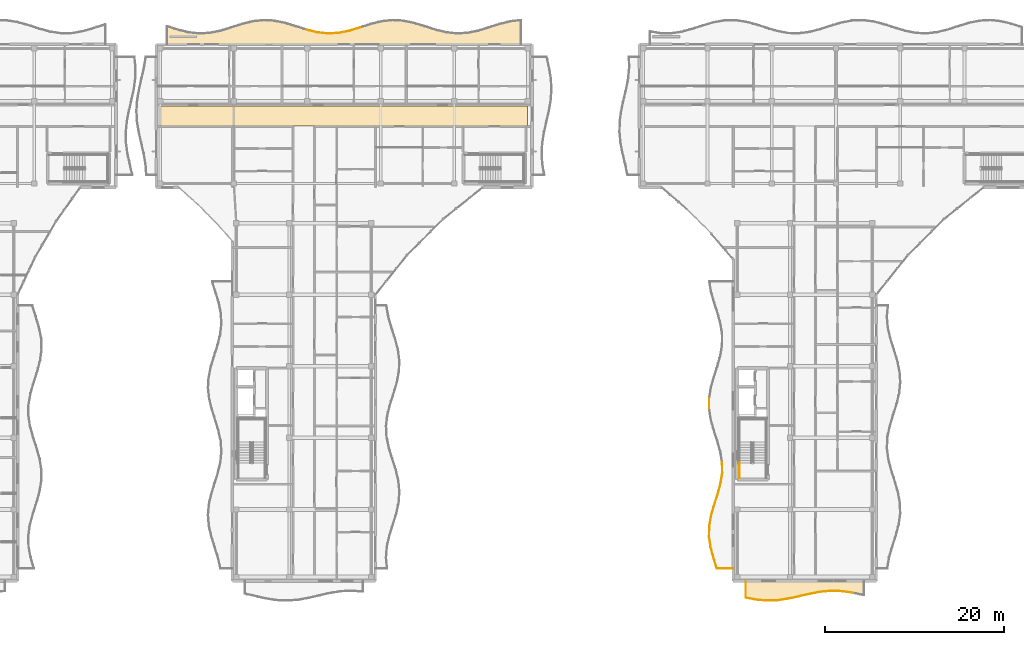
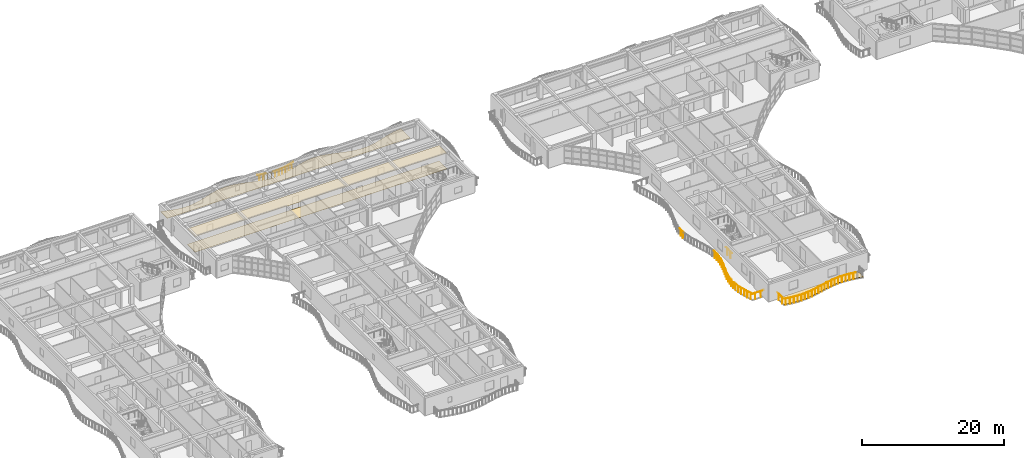
# One storey, part 60 of 76: 29 railings, 4 coverings.
"""IFC4 building model written with IfcOpenShell, lengths in metres."""

from ifc_helpers import new_model, si_unit, direction, frame, origin, origin_2d, place, context, subcontext, project, spatial, polyline, circle, outline, extrude, material, layer, layer_set, type_object, element, save


model = new_model("IFC4")

# Units and contexts
model_context = context("Model", 3, precision=1e-05, world=origin(), true_north=direction((0.0, 1.0)))
body_context = subcontext(model_context, "Body", "Model", "MODEL_VIEW")
ifc_project = project(units=[si_unit("LENGTHUNIT", "METRE"), si_unit("AREAUNIT", "SQUARE_METRE"), si_unit("VOLUMEUNIT", "CUBIC_METRE"), si_unit("PLANEANGLEUNIT", "RADIAN"), si_unit("MASSUNIT", "GRAM", prefix="KILO")], contexts=[model_context])

# Site, building, storey
site_placement = place(None, origin())
site = spatial("IfcSite", under=ifc_project, at=site_placement, CompositionType="ELEMENT")
building_placement = place(site_placement, origin())
building = spatial("IfcBuilding", under=site, at=building_placement, Name="Keldmere Railside Commons", CompositionType="ELEMENT")
storey_placement = place(building_placement, frame((0.0, 0.0, 13.760009765625)))
storey = spatial("IfcBuildingStorey", under=building, at=storey_placement, Name="L04", CompositionType="ELEMENT", Elevation=13.760009765625)

# Railings
ifc_material_1 = material(Name="Steel F-24 (S235)", Category="steel")
railing_type_1 = type_object("IfcRailingType", Name="Balcony & Terrace Steel Balustrade 1100", PredefinedType="BALUSTRADE", material=ifc_material_1)
railing_1_placement = place(storey_placement, frame((56.300048828125, 117.635986328125, 0.0)))
element("IfcRailing", 1, at=railing_1_placement, inside=storey, type_object=railing_type_1, Name="GR-1 GRD-L04-1191", PredefinedType="BALUSTRADE", context=body_context, shape_type="SweptSolid", body=[
    extrude(circle(Radius=0.02392578125, at=origin_2d()), frame((0.0, 0.0, 1.076171875), z_axis=(0.97040903409, -0.241466988544, 0.0), x_axis=(0.241466988544, 0.97040903409, 0.0)), (0.0, 0.0, 1.0), 1.236572265625),
    extrude(circle(Radius=0.02099609375, at=origin_2d()), frame((0.300048828125, -0.07470703125, 0.0)), (0.0, 0.0, 1.0), 1.048095703125),
    extrude(circle(Radius=0.02099609375, at=origin_2d()), frame((0.89990234375, -0.223876953125, 0.0)), (0.0, 0.0, 1.0), 1.048095703125),
])
railing_2_placement = place(storey_placement, frame((57.5, 117.33740234375, 0.0)))
element("IfcRailing", 2, at=railing_2_placement, inside=storey, type_object=railing_type_1, Name="GR-1 GRD-L04-1192", PredefinedType="BALUSTRADE", context=body_context, shape_type="SweptSolid", body=[
    extrude(circle(Radius=0.02392578125, at=origin_2d()), frame((0.0, 0.0, 1.076171875), z_axis=(0.993797127662, -0.111208223848, 0.0), x_axis=(0.111208223848, 0.993797127662, 0.0)), (0.0, 0.0, 1.0), 1.20751953125),
    extrude(circle(Radius=0.02099609375, at=origin_2d()), frame((0.300048828125, -0.03369140625, 0.0)), (0.0, 0.0, 1.0), 1.048095703125),
    extrude(circle(Radius=0.02099609375, at=origin_2d()), frame((0.89990234375, -0.1005859375, 0.0)), (0.0, 0.0, 1.0), 1.048095703125),
])
railing_3_placement = place(storey_placement, frame((58.699951171875, 117.203125, 0.0)))
element("IfcRailing", 3, at=railing_3_placement, inside=storey, type_object=railing_type_1, Name="GR-1 GRD-L04-1193", PredefinedType="BALUSTRADE", context=body_context, shape_type="SweptSolid", body=[
    extrude(circle(Radius=0.02392578125, at=origin_2d()), frame((0.0, 0.0, 1.076171875), z_axis=(0.998505647045, 0.05464863053, 0.0), x_axis=(-0.05464863053, 0.998505647045, 0.0)), (0.0, 0.0, 1.0), 1.20166015625),
    extrude(circle(Radius=0.02099609375, at=origin_2d()), frame((0.300048828125, 0.016357421875, 0.0)), (0.0, 0.0, 1.0), 1.048095703125),
    extrude(circle(Radius=0.02099609375, at=origin_2d()), frame((0.89990234375, 0.04931640625, 0.0)), (0.0, 0.0, 1.0), 1.048095703125),
])
railing_4_placement = place(storey_placement, frame((59.89990234375, 117.268798828125, 0.0)))
element("IfcRailing", 4, at=railing_4_placement, inside=storey, type_object=railing_type_1, Name="GR-1 GRD-L04-1194", PredefinedType="BALUSTRADE", context=body_context, shape_type="SweptSolid", body=[
    extrude(circle(Radius=0.02392578125, at=origin_2d()), frame((0.0, 0.0, 1.076171875), z_axis=(0.97926450778, 0.202585843046, 0.0), x_axis=(-0.202585843046, 0.97926450778, 0.0)), (0.0, 0.0, 1.0), 1.2255859375),
    extrude(circle(Radius=0.02099609375, at=origin_2d()), frame((0.300048828125, 0.06201171875, 0.0)), (0.0, 0.0, 1.0), 1.048095703125),
    extrude(circle(Radius=0.02099609375, at=origin_2d()), frame((0.900146484375, 0.186279296875, 0.0)), (0.0, 0.0, 1.0), 1.048095703125),
])
railing_5_placement = place(storey_placement, frame((61.10009765625, 117.51708984375, 0.0)))
element("IfcRailing", 5, at=railing_5_placement, inside=storey, type_object=railing_type_1, Name="GR-1 GRD-L04-1195", PredefinedType="BALUSTRADE", context=body_context, shape_type="SweptSolid", body=[
    extrude(circle(Radius=0.02392578125, at=origin_2d()), frame((0.0, 0.0, 1.076171875), z_axis=(0.956883475575, 0.29047205403, 0.0), x_axis=(-0.29047205403, 0.956883475575, 0.0)), (0.0, 0.0, 1.0), 1.25390625),
    extrude(circle(Radius=0.02099609375, at=origin_2d()), frame((0.300048828125, 0.091064453125, 0.0)), (0.0, 0.0, 1.0), 1.048095703125),
    extrude(circle(Radius=0.02099609375, at=origin_2d()), frame((0.89990234375, 0.273193359375, 0.0)), (0.0, 0.0, 1.0), 1.048095703125),
])
railing_6_placement = place(storey_placement, frame((104.0, 57.39990234375, 0.0)))
element("IfcRailing", 6, at=railing_6_placement, inside=storey, type_object=railing_type_1, Name="GR-1 GRD-L04-2300", PredefinedType="BALUSTRADE", context=body_context, shape_type="SweptSolid", body=[
    extrude(circle(Radius=0.02392578125, at=origin_2d()), frame((0.0, 0.0, 1.076171875), z_axis=(-1.0, 0.0, 0.0), x_axis=(0.0, -1.0, 0.0)), (0.0, 0.0, 1.0), 1.8134765625),
    extrude(circle(Radius=0.02099609375, at=origin_2d()), frame((-0.453369140625, 0.0, 0.0)), (0.0, 0.0, 1.0), 1.048095703125),
    extrude(circle(Radius=0.02099609375, at=origin_2d()), frame((-1.360107421875, 0.0, 0.0)), (0.0, 0.0, 1.0), 1.048095703125),
])
railing_7_placement = place(storey_placement, frame((102.1865234375, 57.39990234375, 0.0)))
element("IfcRailing", 7, at=railing_7_placement, inside=storey, type_object=railing_type_1, Name="GR-1 GRD-L04-2301", PredefinedType="BALUSTRADE", context=body_context, shape_type="SweptSolid", body=[
    extrude(circle(Radius=0.02392578125, at=origin_2d()), frame((0.0, 0.0, 1.076171875), z_axis=(-0.307008489712, 0.951706775874, 0.0), x_axis=(-0.951706775874, -0.307008489712, 0.0)), (0.0, 0.0, 1.0), 1.249267578125),
    extrude(circle(Radius=0.02099609375, at=origin_2d()), frame((-0.095947265625, 0.29736328125, 0.0)), (0.0, 0.0, 1.0), 1.048095703125),
    extrude(circle(Radius=0.02099609375, at=origin_2d()), frame((-0.28759765625, 0.8916015625, 0.0)), (0.0, 0.0, 1.0), 1.048095703125),
])
railing_8_placement = place(storey_placement, frame((101.802978515625, 58.5888671875, 0.0)))
element("IfcRailing", 8, at=railing_8_placement, inside=storey, type_object=railing_type_1, Name="GR-1 GRD-L04-2302", PredefinedType="BALUSTRADE", context=body_context, shape_type="SweptSolid", body=[
    extrude(circle(Radius=0.02392578125, at=origin_2d()), frame((0.0, 0.0, 1.076171875), z_axis=(-0.258835224939, 0.96592149077, 0.0), x_axis=(-0.96592149077, -0.258835224939, 0.0)), (0.0, 0.0, 1.0), 1.23095703125),
    extrude(circle(Radius=0.02099609375, at=origin_2d()), frame((-0.07958984375, 0.29736328125, 0.0)), (0.0, 0.0, 1.0), 1.048095703125),
    extrude(circle(Radius=0.02099609375, at=origin_2d()), frame((-0.239013671875, 0.8916015625, 0.0)), (0.0, 0.0, 1.0), 1.048095703125),
])
railing_9_placement = place(storey_placement, frame((101.484375, 59.77783203125, 0.0)))
element("IfcRailing", 9, at=railing_9_placement, inside=storey, type_object=railing_type_1, Name="GR-1 GRD-L04-2303", PredefinedType="BALUSTRADE", context=body_context, shape_type="SweptSolid", body=[
    extrude(circle(Radius=0.02392578125, at=origin_2d()), frame((0.0, 0.0, 1.076171875), z_axis=(-0.141279059321, 0.989969811357, 0.0), x_axis=(-0.989969811357, -0.141279059321, 0.0)), (0.0, 0.0, 1.0), 1.200927734375),
    extrude(circle(Radius=0.02099609375, at=origin_2d()), frame((-0.04248046875, 0.29736328125, 0.0)), (0.0, 0.0, 1.0), 1.048095703125),
    extrude(circle(Radius=0.02099609375, at=origin_2d()), frame((-0.127197265625, 0.8916015625, 0.0)), (0.0, 0.0, 1.0), 1.048095703125),
])
railing_10_placement = place(storey_placement, frame((101.314697265625, 60.966796875, 0.0)))
element("IfcRailing", 10, at=railing_10_placement, inside=storey, type_object=railing_type_1, Name="GR-1 GRD-L04-2304", PredefinedType="BALUSTRADE", context=body_context, shape_type="SweptSolid", body=[
    extrude(circle(Radius=0.02392578125, at=origin_2d()), frame((0.0, 0.0, 1.076171875), z_axis=(0.019918003048, 0.999801616899, 0.0), x_axis=(-0.999801616899, 0.019918003048, 0.0)), (0.0, 0.0, 1.0), 1.18896484375),
    extrude(circle(Radius=0.02099609375, at=origin_2d()), frame((0.005859375, 0.297119140625, 0.0)), (0.0, 0.0, 1.0), 1.048095703125),
    extrude(circle(Radius=0.02099609375, at=origin_2d()), frame((0.017822265625, 0.8916015625, 0.0)), (0.0, 0.0, 1.0), 1.048095703125),
])
railing_11_placement = place(storey_placement, frame((101.33837890625, 62.155517578125, 0.0)))
element("IfcRailing", 11, at=railing_11_placement, inside=storey, type_object=railing_type_1, Name="GR-1 GRD-L04-2305", PredefinedType="BALUSTRADE", context=body_context, shape_type="SweptSolid", body=[
    extrude(circle(Radius=0.02392578125, at=origin_2d()), frame((0.0, 0.0, 1.076171875), z_axis=(0.174684901662, 0.984624387841, 0.0), x_axis=(-0.984624387841, 0.174684901662, 0.0)), (0.0, 0.0, 1.0), 1.20751953125),
    extrude(circle(Radius=0.02099609375, at=origin_2d()), frame((0.052734375, 0.29736328125, 0.0)), (0.0, 0.0, 1.0), 1.048095703125),
    extrude(circle(Radius=0.02099609375, at=origin_2d()), frame((0.158203125, 0.8916015625, 0.0)), (0.0, 0.0, 1.0), 1.048095703125),
])
railing_12_placement = place(storey_placement, frame((101.54931640625, 63.344482421875, 0.0)))
element("IfcRailing", 12, at=railing_12_placement, inside=storey, type_object=railing_type_1, Name="GR-1 GRD-L04-2306", PredefinedType="BALUSTRADE", context=body_context, shape_type="SweptSolid", body=[
    extrude(circle(Radius=0.02392578125, at=origin_2d()), frame((0.0, 0.0, 1.076171875), z_axis=(0.27706605588, 0.960850873278, 0.0), x_axis=(-0.960850873278, 0.27706605588, 0.0)), (0.0, 0.0, 1.0), 1.237060546875),
    extrude(circle(Radius=0.02099609375, at=origin_2d()), frame((0.085693359375, 0.297119140625, 0.0)), (0.0, 0.0, 1.0), 1.048095703125),
    extrude(circle(Radius=0.02099609375, at=origin_2d()), frame((0.257080078125, 0.8916015625, 0.0)), (0.0, 0.0, 1.0), 1.048095703125),
])
railing_13_placement = place(storey_placement, frame((101.89208984375, 64.533203125, 0.0)))
element("IfcRailing", 13, at=railing_13_placement, inside=storey, type_object=railing_type_1, Name="GR-1 GRD-L04-2307", PredefinedType="BALUSTRADE", context=body_context, shape_type="SweptSolid", body=[
    extrude(circle(Radius=0.02392578125, at=origin_2d()), frame((0.0, 0.0, 1.076171875), z_axis=(0.307539355173, 0.951535361939, 0.0), x_axis=(-0.951535361939, 0.307539355173, 0.0)), (0.0, 0.0, 1.0), 1.24951171875),
    extrude(circle(Radius=0.02099609375, at=origin_2d()), frame((0.09619140625, 0.29736328125, 0.0)), (0.0, 0.0, 1.0), 1.048095703125),
    extrude(circle(Radius=0.02099609375, at=origin_2d()), frame((0.2880859375, 0.8916015625, 0.0)), (0.0, 0.0, 1.0), 1.048095703125),
])
railing_14_placement = place(storey_placement, frame((102.2763671875, 65.72216796875, 0.0)))
element("IfcRailing", 14, at=railing_14_placement, inside=storey, type_object=railing_type_1, Name="GR-1 GRD-L04-2308", PredefinedType="BALUSTRADE", context=body_context, shape_type="SweptSolid", body=[
    extrude(circle(Radius=0.02392578125, at=origin_2d()), frame((0.0, 0.0, 1.076171875), z_axis=(0.263452610118, 0.964672339306, 0.0), x_axis=(-0.964672339306, 0.263452610118, 0.0)), (0.0, 0.0, 1.0), 1.232421875),
    extrude(circle(Radius=0.02099609375, at=origin_2d()), frame((0.0810546875, 0.29736328125, 0.0)), (0.0, 0.0, 1.0), 1.048095703125),
    extrude(circle(Radius=0.02099609375, at=origin_2d()), frame((0.24365234375, 0.8916015625, 0.0)), (0.0, 0.0, 1.0), 1.048095703125),
])
railing_15_placement = place(storey_placement, frame((102.60107421875, 66.9111328125, 0.0)))
element("IfcRailing", 15, at=railing_15_placement, inside=storey, type_object=railing_type_1, Name="GR-1 GRD-L04-2309", PredefinedType="BALUSTRADE", context=body_context, shape_type="SweptSolid", body=[
    extrude(circle(Radius=0.02392578125, at=origin_2d()), frame((0.0, 0.0, 1.076171875), z_axis=(0.149432472874, 0.988771933284, 0.0), x_axis=(-0.988771933284, 0.149432472874, 0.0)), (0.0, 0.0, 1.0), 1.202392578125),
    extrude(circle(Radius=0.02099609375, at=origin_2d()), frame((0.044921875, 0.29736328125, 0.0)), (0.0, 0.0, 1.0), 1.048095703125),
    extrude(circle(Radius=0.02099609375, at=origin_2d()), frame((0.134765625, 0.8916015625, 0.0)), (0.0, 0.0, 1.0), 1.048095703125),
])
railing_16_placement = place(storey_placement, frame((102.78076171875, 68.10009765625, 0.0)))
element("IfcRailing", 16, at=railing_16_placement, inside=storey, type_object=railing_type_1, Name="GR-1 GRD-L04-2310", PredefinedType="BALUSTRADE", context=body_context, shape_type="SweptSolid", body=[
    extrude(circle(Radius=0.02392578125, at=origin_2d()), frame((0.0, 0.0, 1.076171875), z_axis=(-0.010473855521, 0.999945147671, 0.0), x_axis=(-0.999945147671, -0.010473855521, 0.0)), (0.0, 0.0, 1.0), 1.188720703125),
    extrude(circle(Radius=0.02099609375, at=origin_2d()), frame((-0.003173828125, 0.297119140625, 0.0)), (0.0, 0.0, 1.0), 1.048095703125),
    extrude(circle(Radius=0.02099609375, at=origin_2d()), frame((-0.00927734375, 0.8916015625, 0.0)), (0.0, 0.0, 1.0), 1.048095703125),
])
railing_17_placement = place(storey_placement, frame((101.324462890625, 75.2333984375, 0.0)))
element("IfcRailing", 17, at=railing_17_placement, inside=storey, type_object=railing_type_1, Name="GR-1 GRD-L04-2316", PredefinedType="BALUSTRADE", context=body_context, shape_type="SweptSolid", body=[
    extrude(circle(Radius=0.02392578125, at=origin_2d()), frame((0.0, 0.0, 1.076171875), z_axis=(0.001026904367, 0.999999472734, 0.0), x_axis=(-0.999999472734, 0.001026904367, 0.0)), (0.0, 0.0, 1.0), 1.188720703125),
    extrude(circle(Radius=0.02099609375, at=origin_2d()), frame((0.000244140625, 0.297119140625, 0.0)), (0.0, 0.0, 1.0), 1.048095703125),
    extrude(circle(Radius=0.02099609375, at=origin_2d()), frame((0.0009765625, 0.8916015625, 0.0)), (0.0, 0.0, 1.0), 1.048095703125),
])
railing_18_placement = place(storey_placement, frame((105.39990234375, 56.0, 0.0)))
element("IfcRailing", 18, at=railing_18_placement, inside=storey, type_object=railing_type_1, Name="GR-1 GRD-L04-2355", PredefinedType="BALUSTRADE", context=body_context, shape_type="SweptSolid", body=[
    extrude(circle(Radius=0.02392578125, at=origin_2d()), frame((0.0, 0.0, 1.076171875), z_axis=(0.0, -1.0, 0.0), x_axis=(1.0, 0.0, 0.0)), (0.0, 0.0, 1.0), 1.872802734375),
    extrude(circle(Radius=0.02099609375, at=origin_2d()), frame((0.0, -0.46826171875, 0.0)), (0.0, 0.0, 1.0), 1.048095703125),
    extrude(circle(Radius=0.02099609375, at=origin_2d()), frame((0.0, -1.404541015625, 0.0)), (0.0, 0.0, 1.0), 1.048095703125),
])
railing_19_placement = place(storey_placement, frame((105.39990234375, 54.127197265625, 0.0)))
element("IfcRailing", 19, at=railing_19_placement, inside=storey, type_object=railing_type_1, Name="GR-1 GRD-L04-2356", PredefinedType="BALUSTRADE", context=body_context, shape_type="SweptSolid", body=[
    extrude(circle(Radius=0.02392578125, at=origin_2d()), frame((0.0, 0.0, 1.076171875), z_axis=(0.983402503425, -0.1814373618, 0.0), x_axis=(0.1814373618, 0.983402503425, 0.0)), (0.0, 0.0, 1.0), 1.220458984375),
    extrude(circle(Radius=0.02099609375, at=origin_2d()), frame((0.300048828125, -0.055419921875, 0.0)), (0.0, 0.0, 1.0), 1.048095703125),
    extrude(circle(Radius=0.02099609375, at=origin_2d()), frame((0.900146484375, -0.166015625, 0.0)), (0.0, 0.0, 1.0), 1.048095703125),
])
railing_20_placement = place(storey_placement, frame((106.60009765625, 53.90576171875, 0.0)))
element("IfcRailing", 20, at=railing_20_placement, inside=storey, type_object=railing_type_1, Name="GR-1 GRD-L04-2357", PredefinedType="BALUSTRADE", context=body_context, shape_type="SweptSolid", body=[
    extrude(circle(Radius=0.02392578125, at=origin_2d()), frame((0.0, 0.0, 1.076171875), z_axis=(0.996351575661, -0.085343644629, 0.0), x_axis=(0.085343644629, 0.996351575661, 0.0)), (0.0, 0.0, 1.0), 1.204345703125),
    extrude(circle(Radius=0.02099609375, at=origin_2d()), frame((0.300048828125, -0.025634765625, 0.0)), (0.0, 0.0, 1.0), 1.048095703125),
    extrude(circle(Radius=0.02099609375, at=origin_2d()), frame((0.89990234375, -0.0771484375, 0.0)), (0.0, 0.0, 1.0), 1.048095703125),
])
railing_21_placement = place(storey_placement, frame((107.800048828125, 53.802978515625, 0.0)))
element("IfcRailing", 21, at=railing_21_placement, inside=storey, type_object=railing_type_1, Name="GR-1 GRD-L04-2358", PredefinedType="BALUSTRADE", context=body_context, shape_type="SweptSolid", body=[
    extrude(circle(Radius=0.02392578125, at=origin_2d()), frame((0.0, 0.0, 1.076171875), z_axis=(0.999322610196, 0.03680109714, 0.0), x_axis=(-0.03680109714, 0.999322610196, 0.0)), (0.0, 0.0, 1.0), 1.20068359375),
    extrude(circle(Radius=0.02099609375, at=origin_2d()), frame((0.300048828125, 0.010986328125, 0.0)), (0.0, 0.0, 1.0), 1.048095703125),
    extrude(circle(Radius=0.02099609375, at=origin_2d()), frame((0.89990234375, 0.033203125, 0.0)), (0.0, 0.0, 1.0), 1.048095703125),
])
railing_22_placement = place(storey_placement, frame((109.0, 53.84716796875, 0.0)))
element("IfcRailing", 22, at=railing_22_placement, inside=storey, type_object=railing_type_1, Name="GR-1 GRD-L04-2359", PredefinedType="BALUSTRADE", context=body_context, shape_type="SweptSolid", body=[
    extrude(circle(Radius=0.02392578125, at=origin_2d()), frame((0.0, 0.0, 1.076171875), z_axis=(0.989090801732, 0.147307114317, 0.0), x_axis=(-0.147307114317, 0.989090801732, 0.0)), (0.0, 0.0, 1.0), 1.213134765625),
    extrude(circle(Radius=0.02099609375, at=origin_2d()), frame((0.300048828125, 0.044677734375, 0.0)), (0.0, 0.0, 1.0), 1.048095703125),
    extrude(circle(Radius=0.02099609375, at=origin_2d()), frame((0.89990234375, 0.134033203125, 0.0)), (0.0, 0.0, 1.0), 1.048095703125),
])
railing_23_placement = place(storey_placement, frame((110.199951171875, 54.02587890625, 0.0)))
element("IfcRailing", 23, at=railing_23_placement, inside=storey, type_object=railing_type_1, Name="GR-1 GRD-L04-2360", PredefinedType="BALUSTRADE", context=body_context, shape_type="SweptSolid", body=[
    extrude(circle(Radius=0.02392578125, at=origin_2d()), frame((0.0, 0.0, 1.076171875), z_axis=(0.97636434937, 0.216131111315, 0.0), x_axis=(-0.216131111315, 0.97636434937, 0.0)), (0.0, 0.0, 1.0), 1.22900390625),
    extrude(circle(Radius=0.02099609375, at=origin_2d()), frame((0.300048828125, 0.06640625, 0.0)), (0.0, 0.0, 1.0), 1.048095703125),
    extrude(circle(Radius=0.02099609375, at=origin_2d()), frame((0.89990234375, 0.19921875, 0.0)), (0.0, 0.0, 1.0), 1.048095703125),
])
railing_24_placement = place(storey_placement, frame((111.39990234375, 54.29150390625, 0.0)))
element("IfcRailing", 24, at=railing_24_placement, inside=storey, type_object=railing_type_1, Name="GR-1 GRD-L04-2361", PredefinedType="BALUSTRADE", context=body_context, shape_type="SweptSolid", body=[
    extrude(circle(Radius=0.02392578125, at=origin_2d()), frame((0.0, 0.0, 1.076171875), z_axis=(0.973624560196, 0.228156121511, 0.0), x_axis=(-0.228156121511, 0.973624560196, 0.0)), (0.0, 0.0, 1.0), 1.232666015625),
    extrude(circle(Radius=0.02099609375, at=origin_2d()), frame((0.300048828125, 0.0703125, 0.0)), (0.0, 0.0, 1.0), 1.048095703125),
    extrude(circle(Radius=0.02099609375, at=origin_2d()), frame((0.900146484375, 0.2109375, 0.0)), (0.0, 0.0, 1.0), 1.048095703125),
])
railing_25_placement = place(storey_placement, frame((112.60009765625, 54.57275390625, 0.0)))
element("IfcRailing", 25, at=railing_25_placement, inside=storey, type_object=railing_type_1, Name="GR-1 GRD-L04-2362", PredefinedType="BALUSTRADE", context=body_context, shape_type="SweptSolid", body=[
    extrude(circle(Radius=0.02392578125, at=origin_2d()), frame((0.0, 0.0, 1.076171875), z_axis=(0.983395916222, 0.181473061244, 0.0), x_axis=(-0.181473061244, 0.983395916222, 0.0)), (0.0, 0.0, 1.0), 1.22021484375),
    extrude(circle(Radius=0.02099609375, at=origin_2d()), frame((0.300048828125, 0.055419921875, 0.0)), (0.0, 0.0, 1.0), 1.048095703125),
    extrude(circle(Radius=0.02099609375, at=origin_2d()), frame((0.89990234375, 0.166015625, 0.0)), (0.0, 0.0, 1.0), 1.048095703125),
])
railing_26_placement = place(storey_placement, frame((113.800048828125, 54.794189453125, 0.0)))
element("IfcRailing", 26, at=railing_26_placement, inside=storey, type_object=railing_type_1, Name="GR-1 GRD-L04-2363", PredefinedType="BALUSTRADE", context=body_context, shape_type="SweptSolid", body=[
    extrude(circle(Radius=0.02392578125, at=origin_2d()), frame((0.0, 0.0, 1.076171875), z_axis=(0.996351575661, 0.085343644629, 0.0), x_axis=(-0.085343644629, 0.996351575661, 0.0)), (0.0, 0.0, 1.0), 1.204345703125),
    extrude(circle(Radius=0.02099609375, at=origin_2d()), frame((0.300048828125, 0.025634765625, 0.0)), (0.0, 0.0, 1.0), 1.048095703125),
    extrude(circle(Radius=0.02099609375, at=origin_2d()), frame((0.89990234375, 0.0771484375, 0.0)), (0.0, 0.0, 1.0), 1.048095703125),
])
railing_27_placement = place(storey_placement, frame((115.0, 54.89697265625, 0.0)))
element("IfcRailing", 27, at=railing_27_placement, inside=storey, type_object=railing_type_1, Name="GR-1 GRD-L04-2364", PredefinedType="BALUSTRADE", context=body_context, shape_type="SweptSolid", body=[
    extrude(circle(Radius=0.02392578125, at=origin_2d()), frame((0.0, 0.0, 1.076171875), z_axis=(0.999322610196, -0.03680109714, 0.0), x_axis=(0.03680109714, 0.999322610196, 0.0)), (0.0, 0.0, 1.0), 1.20068359375),
    extrude(circle(Radius=0.02099609375, at=origin_2d()), frame((0.300048828125, -0.010986328125, 0.0)), (0.0, 0.0, 1.0), 1.048095703125),
    extrude(circle(Radius=0.02099609375, at=origin_2d()), frame((0.89990234375, -0.033203125, 0.0)), (0.0, 0.0, 1.0), 1.048095703125),
])
railing_28_placement = place(storey_placement, frame((116.199951171875, 54.852783203125, 0.0)))
element("IfcRailing", 28, at=railing_28_placement, inside=storey, type_object=railing_type_1, Name="GR-1 GRD-L04-2365", PredefinedType="BALUSTRADE", context=body_context, shape_type="SweptSolid", body=[
    extrude(circle(Radius=0.02392578125, at=origin_2d()), frame((0.0, 0.0, 1.076171875), z_axis=(0.989120103585, -0.147110233107, 0.0), x_axis=(0.147110233107, 0.989120103585, 0.0)), (0.0, 0.0, 1.0), 1.213134765625),
    extrude(circle(Radius=0.02099609375, at=origin_2d()), frame((0.300048828125, -0.044677734375, 0.0)), (0.0, 0.0, 1.0), 1.048095703125),
    extrude(circle(Radius=0.02099609375, at=origin_2d()), frame((0.89990234375, -0.1337890625, 0.0)), (0.0, 0.0, 1.0), 1.048095703125),
])

# Covering
ifc_material_2 = material(Name="Polished Terrazzo Tile Flooring", Category="concrete")
ifc_layer_1 = layer(ifc_material_2, 0.030029296875, Name="Polished Terrazzo Floor Finish 30")
ifc_layer_set_1 = layer_set([ifc_layer_1], Name="Polished Terrazzo Tile Flooring")
covering_type_1 = type_object("IfcCoveringType", Name="Polished Terrazzo Floor Finish 30", PredefinedType="FLOORING", material=ifc_layer_set_1)
covering_1_placement = place(storey_placement, origin())
element("IfcCovering", 29, at=covering_1_placement, inside=storey, type_object=covering_type_1, Name="FLR-1 Corridor Terrazzo C-L04", PredefinedType="FLOORING", context=body_context, shape_type="SweptSolid", body=[
    extrude(outline(polyline([(39.97998046875, 106.8798828125), (81.02001953125, 106.8798828125), (81.02001953125, 109.1201171875), (39.97998046875, 109.1201171875), (39.97998046875, 106.8798828125)])), origin(), (0.0, 0.0, 1.0), 0.030029296875),
])

# Railing
railing_type_2 = type_object("IfcRailingType", Name="Stair Well Steel Guardrail 1100", PredefinedType="BALUSTRADE", material=ifc_material_1)
railing_29_placement = place(storey_placement, frame((104.699951171875, 67.5, 0.0)))
element("IfcRailing", 30, at=railing_29_placement, inside=storey, type_object=railing_type_2, Name="L04 ST-B1 stair guard 9", PredefinedType="BALUSTRADE", context=body_context, shape_type="SweptSolid", body=[
    extrude(circle(Radius=0.02392578125, at=origin_2d()), frame((0.0, 0.0, 1.076171875), z_axis=(0.0, 1.0, 0.0), x_axis=(-1.0, 0.0, 0.0)), (0.0, 0.0, 1.0), 1.699951171875),
    extrude(circle(Radius=0.02099609375, at=origin_2d()), frame((0.0, 0.425048828125, 0.0)), (0.0, 0.0, 1.0), 1.048095703125),
    extrude(circle(Radius=0.02099609375, at=origin_2d()), frame((0.0, 1.27490234375, 0.0)), (0.0, 0.0, 1.0), 1.048095703125),
])

# Coverings
ifc_material_3 = material(Name="Acoustic Mineral-Fibre Gypsum Ceiling", Category="gypsum")
ifc_layer_2 = layer(ifc_material_3, 0.02490234375, Name="Suspended Acoustic Ceiling 25")
ifc_layer_set_2 = layer_set([ifc_layer_2], Name="Acoustic Mineral-Fibre Gypsum Ceiling")
covering_type_2 = type_object("IfcCoveringType", Name="Suspended Acoustic Ceiling 25", PredefinedType="CEILING", material=ifc_layer_set_2)
covering_2_placement = place(storey_placement, frame((0.0, 0.0, 2.675048828125)))
element("IfcCovering", 31, at=covering_2_placement, inside=storey, type_object=covering_type_2, Name="CLG-1 Corridor Ceiling C-L04", PredefinedType="CEILING", context=body_context, shape_type="SweptSolid", body=[
    extrude(outline(polyline([(39.97998046875, 106.8798828125), (81.02001953125, 106.8798828125), (81.02001953125, 109.1201171875), (39.97998046875, 109.1201171875), (39.97998046875, 106.8798828125)])), origin(), (0.0, 0.0, 1.0), 0.02490234375),
])
ifc_material_4 = material(Name="White Precast Concrete C35/45", Category="concrete")
ifc_layer_3 = layer(ifc_material_4, 0.044921875, Name="White Architectural Balcony Ribbon Cladding 45")
ifc_layer_set_3 = layer_set([ifc_layer_3], Name="White Precast Concrete C35/45")
covering_type_3 = type_object("IfcCoveringType", Name="White Architectural Balcony Ribbon Cladding 45", PredefinedType="FLOORING", material=ifc_layer_set_3)
covering_3_placement = place(storey_placement, origin())
element("IfcCovering", 32, at=covering_3_placement, inside=storey, type_object=covering_type_3, Name="CLG-WB C L04 N White Balcony Ribbon", PredefinedType="FLOORING", context=body_context, shape_type="SweptSolid", body=[
    extrude(outline(polyline([(80.260009765625, 116.0400390625), (80.260009765625, 118.652099609375), (79.107177734375, 118.52294921875), (77.910888671875, 118.2255859375), (76.712158203125, 117.84326171875), (76.711669921875, 117.843017578125), (75.51171875, 117.47900390625), (75.508056640625, 117.47802734375), (74.30810546875, 117.229736328125), (74.30517578125, 117.229248046875), (74.30224609375, 117.22900390625), (73.102294921875, 117.1630859375), (73.098876953125, 117.1630859375), (73.095458984375, 117.163330078125), (71.8955078125, 117.297607421875), (71.890380859375, 117.298583984375), (70.690185546875, 117.59716796875), (70.687744140625, 117.597900390625), (69.488037109375, 117.98046875), (68.2900390625, 118.343994140625), (67.0947265625, 118.59130859375), (65.901123046875, 118.65673828125), (64.70703125, 118.52294921875), (63.510986328125, 118.2255859375), (62.312255859375, 117.84326171875), (62.3115234375, 117.843017578125), (61.111572265625, 117.47900390625), (61.108154296875, 117.47802734375), (59.908203125, 117.229736328125), (59.9052734375, 117.229248046875), (59.902099609375, 117.22900390625), (58.7021484375, 117.1630859375), (58.698974609375, 117.1630859375), (58.695556640625, 117.163330078125), (57.49560546875, 117.297607421875), (57.490234375, 117.298583984375), (56.290283203125, 117.59716796875), (56.287841796875, 117.597900390625), (55.088134765625, 117.98046875), (53.89013671875, 118.343994140625), (52.69482421875, 118.59130859375), (51.501220703125, 118.65673828125), (50.30712890625, 118.52294921875), (49.11083984375, 118.2255859375), (47.912109375, 117.84326171875), (47.91162109375, 117.843017578125), (46.711669921875, 117.47900390625), (46.7080078125, 117.47802734375), (45.508056640625, 117.229736328125), (45.505126953125, 117.229248046875), (45.502197265625, 117.22900390625), (44.30224609375, 117.1630859375), (44.298828125, 117.1630859375), (44.29541015625, 117.163330078125), (43.095458984375, 117.297607421875), (43.09033203125, 117.298583984375), (41.890380859375, 117.59716796875), (41.8876953125, 117.597900390625), (40.739990234375, 117.9638671875), (40.739990234375, 116.0400390625), (80.260009765625, 116.0400390625)])), origin(), (0.0, 0.0, 1.0), 0.044921875),
])
covering_4_placement = place(storey_placement, origin())
element("IfcCovering", 33, at=covering_4_placement, inside=storey, type_object=covering_type_3, Name="CLG-WB B L04 S White Balcony Ribbon", PredefinedType="FLOORING", context=body_context, shape_type="SweptSolid", body=[
    extrude(outline(polyline([(106.605224609375, 53.9453125), (107.801025390625, 53.84326171875), (108.996337890625, 53.886962890625), (110.192626953125, 54.065185546875), (111.39111328125, 54.330322265625), (112.5908203125, 54.611572265625), (112.5927734375, 54.612060546875), (113.792724609375, 54.83349609375), (113.796630859375, 54.834228515625), (114.99658203125, 54.936767578125), (115.00146484375, 54.93701171875), (116.201416015625, 54.892822265625), (116.205810546875, 54.892578125), (117.406005859375, 54.7138671875), (117.40869140625, 54.71337890625), (118.56005859375, 54.45849609375), (118.56005859375, 55.9599609375), (105.43994140625, 55.9599609375), (105.43994140625, 54.16064453125), (106.605224609375, 53.9453125)])), origin(), (0.0, 0.0, 1.0), 0.044921875),
])

save(model, "model.ifc")
